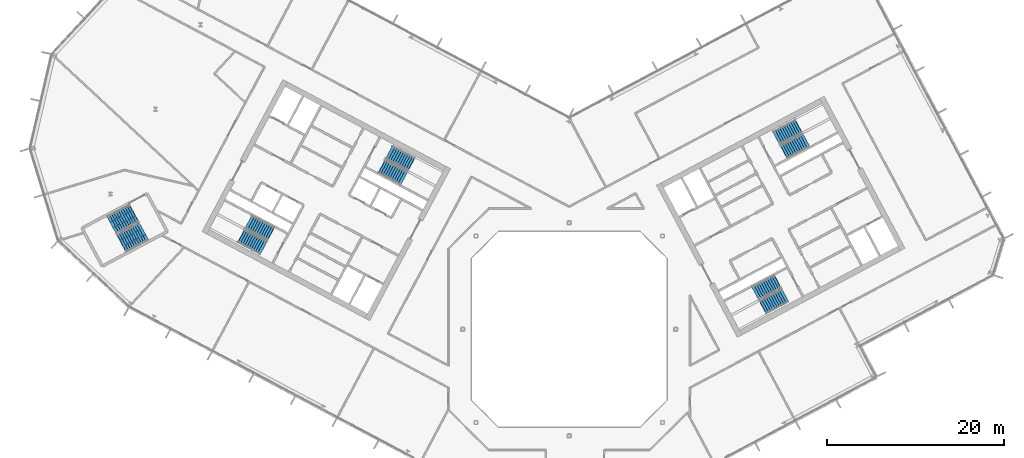
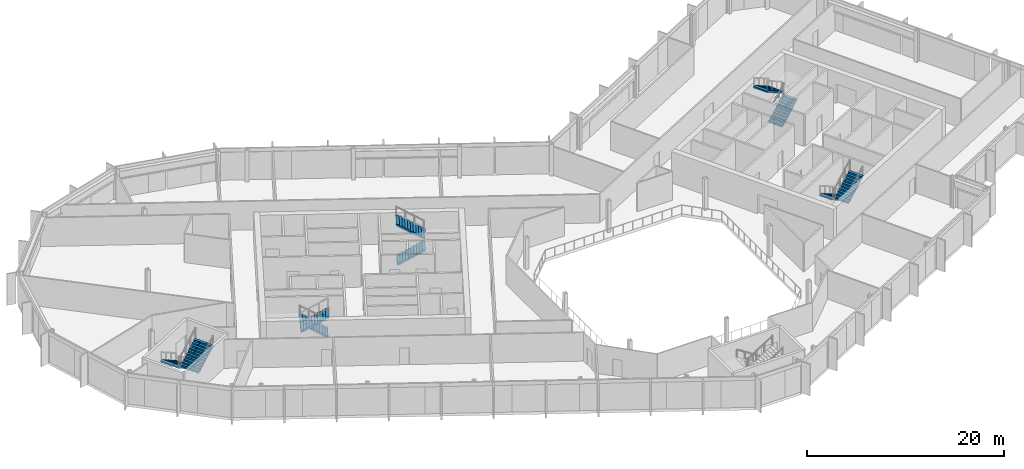
# One storey, part 17 of 26: 10 stair flights, 5 elements without a shape of their own.
"""IFC4 building model written with IfcOpenShell, lengths in metres."""

from ifc_helpers import new_model, si_unit, direction, frame, origin, place, context, subcontext, project, spatial, polyline, outline, extrude, material, type_object, element, aggregate, save


model = new_model("IFC4")

# Units and contexts
model_context = context("Model", 3, precision=1e-05, world=origin(), true_north=direction((0.0, 1.0)))
body_context = subcontext(model_context, "Body", "Model", "MODEL_VIEW")
ifc_project = project(units=[si_unit("LENGTHUNIT", "METRE"), si_unit("AREAUNIT", "SQUARE_METRE"), si_unit("VOLUMEUNIT", "CUBIC_METRE"), si_unit("PLANEANGLEUNIT", "RADIAN"), si_unit("MASSUNIT", "GRAM", prefix="KILO")], contexts=[model_context])

# Site, building, storey
site_placement = place(None, origin())
site = spatial("IfcSite", under=ifc_project, at=site_placement, CompositionType="ELEMENT")
building_placement = place(site_placement, origin())
building = spatial("IfcBuilding", under=site, at=building_placement, Name="Cormorant Relay Tower", CompositionType="ELEMENT")
storey_placement = place(building_placement, frame((0.0, 0.0, 228.60009765625)))
storey = spatial("IfcBuildingStorey", under=building, at=storey_placement, Name="L50", CompositionType="ELEMENT", Elevation=228.60009765625)

# Stair, stair flights
ifc_material_1 = material(Name="Concrete 40 MPa", Category="concrete")
stair_type_1 = type_object("IfcStairType", Name="Exit stair 1500", PredefinedType="HALF_TURN_STAIR", material=ifc_material_1)
stair_1_placement = place(storey_placement, origin())
stair_1 = element("IfcStair", 1, at=stair_1_placement, inside=storey, type_object=stair_type_1, Name="L50 Stair", PredefinedType="HALF_TURN_STAIR")
ifc_material_2 = material(Name="Concrete 40 MPa", Category="concrete")
stair_flight_type_1 = type_object("IfcStairFlightType", Name="Exit stair flight 1650", PredefinedType="STRAIGHT", material=ifc_material_2)
stair_flight_1_placement = place(storey_placement, frame((-21.114501953125, 18.33349609375, 0.0), z_axis=(0.0, 0.0, 1.0), x_axis=(0.882947592859, -0.469471562786, 0.0)))
stair_flight_1 = element("IfcStairFlight", 2, at=stair_flight_1_placement, type_object=stair_flight_type_1, Name="A1 flight 1", NumberOfRisers=11, NumberOfTreads=10, PredefinedType="STRAIGHT", RiserHeight=0.177272727, TreadLength=0.28, context=body_context, shape_type="SweptSolid", body=[
    extrude(outline(polyline([(-0.050048828125, -0.080078125), (-0.050048828125, 0.0), (0.0, 0.0), (0.0, 0.17724609375), (0.280029296875, 0.17724609375), (0.280029296875, 0.3544921875), (0.56005859375, 0.3544921875), (0.56005859375, 0.53173828125), (0.840087890625, 0.53173828125), (0.840087890625, 0.708984375), (1.1201171875, 0.708984375), (1.1201171875, 0.886474609375), (1.39990234375, 0.886474609375), (1.39990234375, 1.063720703125), (1.679931640625, 1.063720703125), (1.679931640625, 1.240966796875), (1.9599609375, 1.240966796875), (1.9599609375, 1.418212890625), (2.239990234375, 1.418212890625), (2.239990234375, 1.595458984375), (2.52001953125, 1.595458984375), (2.52001953125, 1.772705078125), (2.800048828125, 1.772705078125), (2.85009765625, 1.772705078125), (2.85009765625, 1.59521484375), (2.800048828125, 1.59521484375), (0.2802734375, 0.0), (-0.050048828125, -0.080078125)])), frame((0.0, 0.824951171875, 0.0), z_axis=(0.0, -1.0, 0.0), x_axis=(1.0, 0.0, 0.0)), (0.0, 0.0, 1.0), 1.64990234375),
])
stair_flight_2_placement = place(storey_placement, frame((-17.797119140625, 18.6083984375, 1.949951171875), z_axis=(0.0, 0.0, 1.0), x_axis=(-0.882947592859, 0.469471562786, 0.0)))
stair_flight_2 = element("IfcStairFlight", 3, at=stair_flight_2_placement, type_object=stair_flight_type_1, Name="A1 flight 2", NumberOfRisers=11, NumberOfTreads=10, PredefinedType="STRAIGHT", RiserHeight=0.177272727, TreadLength=0.28, context=body_context, shape_type="SweptSolid", body=[
    extrude(outline(polyline([(-0.050048828125, -0.080078125), (-0.050048828125, 0.0), (0.0, 0.0), (0.0, 0.17724609375), (0.280029296875, 0.17724609375), (0.280029296875, 0.3544921875), (0.56005859375, 0.3544921875), (0.56005859375, 0.53173828125), (0.840087890625, 0.53173828125), (0.840087890625, 0.708984375), (1.1201171875, 0.708984375), (1.1201171875, 0.886474609375), (1.39990234375, 0.886474609375), (1.39990234375, 1.063720703125), (1.679931640625, 1.063720703125), (1.679931640625, 1.240966796875), (1.9599609375, 1.240966796875), (1.9599609375, 1.418212890625), (2.239990234375, 1.418212890625), (2.239990234375, 1.595458984375), (2.52001953125, 1.595458984375), (2.52001953125, 1.772705078125), (2.800048828125, 1.772705078125), (2.85009765625, 1.772705078125), (2.85009765625, 1.59521484375), (2.800048828125, 1.59521484375), (0.2802734375, 0.0), (-0.050048828125, -0.080078125)])), frame((0.0, 0.824951171875, 0.0), z_axis=(0.0, -1.0, 0.0), x_axis=(1.0, 0.0, 0.0)), (0.0, 0.0, 1.0), 1.64990234375),
])
aggregate(stair_1, [stair_flight_1, stair_flight_2])

stair_2_placement = place(storey_placement, origin())
stair_2 = element("IfcStair", 4, at=stair_2_placement, inside=storey, type_object=stair_type_1, Name="L50 Stair", PredefinedType="HALF_TURN_STAIR")
stair_flight_3_placement = place(storey_placement, frame((-33.62841796875, 10.773681640625, 0.0), z_axis=(0.0, 0.0, 1.0), x_axis=(-0.882947592859, 0.469471562786, 0.0)))
stair_flight_3 = element("IfcStairFlight", 5, at=stair_flight_3_placement, type_object=stair_flight_type_1, Name="A2 flight 1", NumberOfRisers=11, NumberOfTreads=10, PredefinedType="STRAIGHT", RiserHeight=0.177272727, TreadLength=0.28, context=body_context, shape_type="SweptSolid", body=[
    extrude(outline(polyline([(-0.050048828125, -0.080078125), (-0.050048828125, 0.0), (0.0, 0.0), (0.0, 0.17724609375), (0.280029296875, 0.17724609375), (0.280029296875, 0.3544921875), (0.56005859375, 0.3544921875), (0.56005859375, 0.53173828125), (0.840087890625, 0.53173828125), (0.840087890625, 0.708984375), (1.1201171875, 0.708984375), (1.1201171875, 0.886474609375), (1.39990234375, 0.886474609375), (1.39990234375, 1.063720703125), (1.679931640625, 1.063720703125), (1.679931640625, 1.240966796875), (1.9599609375, 1.240966796875), (1.9599609375, 1.418212890625), (2.239990234375, 1.418212890625), (2.239990234375, 1.595458984375), (2.52001953125, 1.595458984375), (2.52001953125, 1.772705078125), (2.800048828125, 1.772705078125), (2.85009765625, 1.772705078125), (2.85009765625, 1.59521484375), (2.800048828125, 1.59521484375), (0.2802734375, 0.0), (-0.050048828125, -0.080078125)])), frame((0.0, 0.824951171875, 0.0), z_axis=(0.0, -1.0, 0.0), x_axis=(1.0, 0.0, 0.0)), (0.0, 0.0, 1.0), 1.64990234375),
])
stair_flight_4_placement = place(storey_placement, frame((-36.945556640625, 10.498779296875, 1.949951171875), z_axis=(0.0, 0.0, 1.0), x_axis=(0.882947592859, -0.469471562786, 0.0)))
stair_flight_4 = element("IfcStairFlight", 6, at=stair_flight_4_placement, type_object=stair_flight_type_1, Name="A2 flight 2", NumberOfRisers=11, NumberOfTreads=10, PredefinedType="STRAIGHT", RiserHeight=0.177272727, TreadLength=0.28, context=body_context, shape_type="SweptSolid", body=[
    extrude(outline(polyline([(-0.050048828125, -0.080078125), (-0.050048828125, 0.0), (0.0, 0.0), (0.0, 0.17724609375), (0.280029296875, 0.17724609375), (0.280029296875, 0.3544921875), (0.56005859375, 0.3544921875), (0.56005859375, 0.53173828125), (0.840087890625, 0.53173828125), (0.840087890625, 0.708984375), (1.1201171875, 0.708984375), (1.1201171875, 0.886474609375), (1.39990234375, 0.886474609375), (1.39990234375, 1.063720703125), (1.679931640625, 1.063720703125), (1.679931640625, 1.240966796875), (1.9599609375, 1.240966796875), (1.9599609375, 1.418212890625), (2.239990234375, 1.418212890625), (2.239990234375, 1.595458984375), (2.52001953125, 1.595458984375), (2.52001953125, 1.772705078125), (2.800048828125, 1.772705078125), (2.85009765625, 1.772705078125), (2.85009765625, 1.59521484375), (2.800048828125, 1.59521484375), (0.2802734375, 0.0), (-0.050048828125, -0.080078125)])), frame((0.0, 0.824951171875, 0.0), z_axis=(0.0, -1.0, 0.0), x_axis=(1.0, 0.0, 0.0)), (0.0, 0.0, 1.0), 1.64990234375),
])
aggregate(stair_2, [stair_flight_3, stair_flight_4])

stair_3_placement = place(storey_placement, origin())
stair_3 = element("IfcStair", 7, at=stair_3_placement, inside=storey, type_object=stair_type_1, Name="L50 Stair", PredefinedType="HALF_TURN_STAIR")
stair_flight_5_placement = place(storey_placement, frame((23.474365234375, 5.374755859375, 0.0), z_axis=(0.0, 0.0, 1.0), x_axis=(-0.882947592859, -0.469471562786, 0.0)))
stair_flight_5 = element("IfcStairFlight", 8, at=stair_flight_5_placement, type_object=stair_flight_type_1, Name="B1 flight 1", NumberOfRisers=11, NumberOfTreads=10, PredefinedType="STRAIGHT", RiserHeight=0.177272727, TreadLength=0.28, context=body_context, shape_type="SweptSolid", body=[
    extrude(outline(polyline([(-0.050048828125, -0.080078125), (-0.050048828125, 0.0), (0.0, 0.0), (0.0, 0.17724609375), (0.280029296875, 0.17724609375), (0.280029296875, 0.3544921875), (0.56005859375, 0.3544921875), (0.56005859375, 0.53173828125), (0.840087890625, 0.53173828125), (0.840087890625, 0.708984375), (1.1201171875, 0.708984375), (1.1201171875, 0.886474609375), (1.39990234375, 0.886474609375), (1.39990234375, 1.063720703125), (1.679931640625, 1.063720703125), (1.679931640625, 1.240966796875), (1.9599609375, 1.240966796875), (1.9599609375, 1.418212890625), (2.239990234375, 1.418212890625), (2.239990234375, 1.595458984375), (2.52001953125, 1.595458984375), (2.52001953125, 1.772705078125), (2.800048828125, 1.772705078125), (2.85009765625, 1.772705078125), (2.85009765625, 1.59521484375), (2.800048828125, 1.59521484375), (0.2802734375, 0.0), (-0.050048828125, -0.080078125)])), frame((0.0, 0.824951171875, 0.0), z_axis=(0.0, -1.0, 0.0), x_axis=(1.0, 0.0, 0.0)), (0.0, 0.0, 1.0), 1.64990234375),
])
stair_flight_6_placement = place(storey_placement, frame((21.84716796875, 2.470947265625, 1.949951171875), z_axis=(0.0, 0.0, 1.0), x_axis=(0.882947592859, 0.469471562786, 0.0)))
stair_flight_6 = element("IfcStairFlight", 9, at=stair_flight_6_placement, type_object=stair_flight_type_1, Name="B1 flight 2", NumberOfRisers=11, NumberOfTreads=10, PredefinedType="STRAIGHT", RiserHeight=0.177272727, TreadLength=0.28, context=body_context, shape_type="SweptSolid", body=[
    extrude(outline(polyline([(-0.050048828125, -0.080078125), (-0.050048828125, 0.0), (0.0, 0.0), (0.0, 0.17724609375), (0.280029296875, 0.17724609375), (0.280029296875, 0.3544921875), (0.56005859375, 0.3544921875), (0.56005859375, 0.53173828125), (0.840087890625, 0.53173828125), (0.840087890625, 0.708984375), (1.1201171875, 0.708984375), (1.1201171875, 0.886474609375), (1.39990234375, 0.886474609375), (1.39990234375, 1.063720703125), (1.679931640625, 1.063720703125), (1.679931640625, 1.240966796875), (1.9599609375, 1.240966796875), (1.9599609375, 1.418212890625), (2.239990234375, 1.418212890625), (2.239990234375, 1.595458984375), (2.52001953125, 1.595458984375), (2.52001953125, 1.772705078125), (2.800048828125, 1.772705078125), (2.85009765625, 1.772705078125), (2.85009765625, 1.59521484375), (2.800048828125, 1.59521484375), (0.2802734375, 0.0), (-0.050048828125, -0.080078125)])), frame((0.0, 0.824951171875, 0.0), z_axis=(0.0, -1.0, 0.0), x_axis=(1.0, 0.0, 0.0)), (0.0, 0.0, 1.0), 1.64990234375),
])
aggregate(stair_3, [stair_flight_5, stair_flight_6])

stair_4_placement = place(storey_placement, origin())
stair_4 = element("IfcStair", 10, at=stair_4_placement, inside=storey, type_object=stair_type_1, Name="L50 Stair", PredefinedType="HALF_TURN_STAIR")
stair_flight_7_placement = place(storey_placement, frame((24.20458984375, 19.976806640625, 0.0), z_axis=(0.0, 0.0, 1.0), x_axis=(0.882947592859, 0.469471562786, 0.0)))
stair_flight_7 = element("IfcStairFlight", 11, at=stair_flight_7_placement, type_object=stair_flight_type_1, Name="B2 flight 1", NumberOfRisers=11, NumberOfTreads=10, PredefinedType="STRAIGHT", RiserHeight=0.177272727, TreadLength=0.28, context=body_context, shape_type="SweptSolid", body=[
    extrude(outline(polyline([(-0.050048828125, -0.080078125), (-0.050048828125, 0.0), (0.0, 0.0), (0.0, 0.17724609375), (0.280029296875, 0.17724609375), (0.280029296875, 0.3544921875), (0.56005859375, 0.3544921875), (0.56005859375, 0.53173828125), (0.840087890625, 0.53173828125), (0.840087890625, 0.708984375), (1.1201171875, 0.708984375), (1.1201171875, 0.886474609375), (1.39990234375, 0.886474609375), (1.39990234375, 1.063720703125), (1.679931640625, 1.063720703125), (1.679931640625, 1.240966796875), (1.9599609375, 1.240966796875), (1.9599609375, 1.418212890625), (2.239990234375, 1.418212890625), (2.239990234375, 1.595458984375), (2.52001953125, 1.595458984375), (2.52001953125, 1.772705078125), (2.800048828125, 1.772705078125), (2.85009765625, 1.772705078125), (2.85009765625, 1.59521484375), (2.800048828125, 1.59521484375), (0.2802734375, 0.0), (-0.050048828125, -0.080078125)])), frame((0.0, 0.824951171875, 0.0), z_axis=(0.0, -1.0, 0.0), x_axis=(1.0, 0.0, 0.0)), (0.0, 0.0, 1.0), 1.64990234375),
])
stair_flight_8_placement = place(storey_placement, frame((25.831787109375, 22.880615234375, 1.949951171875), z_axis=(0.0, 0.0, 1.0), x_axis=(-0.882947592859, -0.469471562786, 0.0)))
stair_flight_8 = element("IfcStairFlight", 12, at=stair_flight_8_placement, type_object=stair_flight_type_1, Name="B2 flight 2", NumberOfRisers=11, NumberOfTreads=10, PredefinedType="STRAIGHT", RiserHeight=0.177272727, TreadLength=0.28, context=body_context, shape_type="SweptSolid", body=[
    extrude(outline(polyline([(-0.050048828125, -0.080078125), (-0.050048828125, 0.0), (0.0, 0.0), (0.0, 0.17724609375), (0.280029296875, 0.17724609375), (0.280029296875, 0.3544921875), (0.56005859375, 0.3544921875), (0.56005859375, 0.53173828125), (0.840087890625, 0.53173828125), (0.840087890625, 0.708984375), (1.1201171875, 0.708984375), (1.1201171875, 0.886474609375), (1.39990234375, 0.886474609375), (1.39990234375, 1.063720703125), (1.679931640625, 1.063720703125), (1.679931640625, 1.240966796875), (1.9599609375, 1.240966796875), (1.9599609375, 1.418212890625), (2.239990234375, 1.418212890625), (2.239990234375, 1.595458984375), (2.52001953125, 1.595458984375), (2.52001953125, 1.772705078125), (2.800048828125, 1.772705078125), (2.85009765625, 1.772705078125), (2.85009765625, 1.59521484375), (2.800048828125, 1.59521484375), (0.2802734375, 0.0), (-0.050048828125, -0.080078125)])), frame((0.0, 0.824951171875, 0.0), z_axis=(0.0, -1.0, 0.0), x_axis=(1.0, 0.0, 0.0)), (0.0, 0.0, 1.0), 1.64990234375),
])
aggregate(stair_4, [stair_flight_7, stair_flight_8])

ifc_material_3 = material(Name="Concrete 40 MPa", Category="concrete")
stair_type_2 = type_object("IfcStairType", Name="Remote exit stair 2200", PredefinedType="HALF_TURN_STAIR", material=ifc_material_3)
stair_5_placement = place(storey_placement, origin())
stair_5 = element("IfcStair", 13, at=stair_5_placement, inside=storey, type_object=stair_type_2, Name="L50 Stair", PredefinedType="HALF_TURN_STAIR")
ifc_material_4 = material(Name="Concrete 40 MPa", Category="concrete")
stair_flight_type_2 = type_object("IfcStairFlightType", Name="Remote exit stair flight 2200", PredefinedType="STRAIGHT", material=ifc_material_4)
stair_flight_9_placement = place(storey_placement, frame((-49.062255859375, 13.08251953125, 0.0), z_axis=(0.0, 0.0, 1.0), x_axis=(-0.882947502727, -0.4694717323, 0.0)))
stair_flight_9 = element("IfcStairFlight", 14, at=stair_flight_9_placement, type_object=stair_flight_type_2, Name="RP1 flight 1", NumberOfRisers=11, NumberOfTreads=10, PredefinedType="STRAIGHT", RiserHeight=0.177272727, TreadLength=0.28, context=body_context, shape_type="SweptSolid", body=[
    extrude(outline(polyline([(-0.050048828125, -0.080078125), (-0.050048828125, 0.0), (0.0, 0.0), (0.0, 0.17724609375), (0.280029296875, 0.17724609375), (0.280029296875, 0.3544921875), (0.56005859375, 0.3544921875), (0.56005859375, 0.53173828125), (0.840087890625, 0.53173828125), (0.840087890625, 0.708984375), (1.1201171875, 0.708984375), (1.1201171875, 0.886474609375), (1.39990234375, 0.886474609375), (1.39990234375, 1.063720703125), (1.679931640625, 1.063720703125), (1.679931640625, 1.240966796875), (1.9599609375, 1.240966796875), (1.9599609375, 1.418212890625), (2.239990234375, 1.418212890625), (2.239990234375, 1.595458984375), (2.52001953125, 1.595458984375), (2.52001953125, 1.772705078125), (2.800048828125, 1.772705078125), (2.85009765625, 1.772705078125), (2.85009765625, 1.59521484375), (2.800048828125, 1.59521484375), (0.2802734375, 0.0), (-0.050048828125, -0.080078125)])), frame((0.0, 1.10009765625, 0.0), z_axis=(0.0, -1.0, 0.0), x_axis=(1.0, 0.0, 0.0)), (0.0, 0.0, 1.0), 0.719970703125),
    extrude(outline(polyline([(-0.050048828125, -0.080078125), (-0.050048828125, 0.0), (0.0, 0.0), (0.0, 0.17724609375), (0.280029296875, 0.17724609375), (0.280029296875, 0.3544921875), (0.56005859375, 0.3544921875), (0.56005859375, 0.53173828125), (0.840087890625, 0.53173828125), (0.840087890625, 0.708984375), (1.1201171875, 0.708984375), (1.1201171875, 0.886474609375), (1.39990234375, 0.886474609375), (1.39990234375, 1.063720703125), (1.679931640625, 1.063720703125), (1.679931640625, 1.240966796875), (1.9599609375, 1.240966796875), (1.9599609375, 1.418212890625), (2.239990234375, 1.418212890625), (2.239990234375, 1.595458984375), (2.52001953125, 1.595458984375), (2.52001953125, 1.772705078125), (2.800048828125, 1.772705078125), (2.85009765625, 1.772705078125), (2.85009765625, 1.59521484375), (2.800048828125, 1.59521484375), (0.2802734375, 0.0), (-0.050048828125, -0.080078125)])), frame((0.0, 0.360107421875, 0.0), z_axis=(0.0, -1.0, 0.0), x_axis=(1.0, 0.0, 0.0)), (0.0, 0.0, 1.0), 0.719970703125),
    extrude(outline(polyline([(-0.050048828125, -0.080078125), (-0.050048828125, 0.0), (0.0, 0.0), (0.0, 0.17724609375), (0.280029296875, 0.17724609375), (0.280029296875, 0.3544921875), (0.56005859375, 0.3544921875), (0.56005859375, 0.53173828125), (0.840087890625, 0.53173828125), (0.840087890625, 0.708984375), (1.1201171875, 0.708984375), (1.1201171875, 0.886474609375), (1.39990234375, 0.886474609375), (1.39990234375, 1.063720703125), (1.679931640625, 1.063720703125), (1.679931640625, 1.240966796875), (1.9599609375, 1.240966796875), (1.9599609375, 1.418212890625), (2.239990234375, 1.418212890625), (2.239990234375, 1.595458984375), (2.52001953125, 1.595458984375), (2.52001953125, 1.772705078125), (2.800048828125, 1.772705078125), (2.85009765625, 1.772705078125), (2.85009765625, 1.59521484375), (2.800048828125, 1.59521484375), (0.2802734375, 0.0), (-0.050048828125, -0.080078125)])), frame((0.0, -0.3798828125, 0.0), z_axis=(0.0, -1.0, 0.0), x_axis=(1.0, 0.0, 0.0)), (0.0, 0.0, 1.0), 0.719970703125),
])
stair_flight_10_placement = place(storey_placement, frame((-50.431396484375, 9.693115234375, 1.949951171875), z_axis=(0.0, 0.0, 1.0), x_axis=(0.882947502727, 0.4694717323, 0.0)))
stair_flight_10 = element("IfcStairFlight", 15, at=stair_flight_10_placement, type_object=stair_flight_type_2, Name="RP1 flight 2", NumberOfRisers=11, NumberOfTreads=10, PredefinedType="STRAIGHT", RiserHeight=0.177272727, TreadLength=0.28, context=body_context, shape_type="SweptSolid", body=[
    extrude(outline(polyline([(-0.050048828125, -0.080078125), (-0.050048828125, 0.0), (0.0, 0.0), (0.0, 0.17724609375), (0.280029296875, 0.17724609375), (0.280029296875, 0.3544921875), (0.56005859375, 0.3544921875), (0.56005859375, 0.53173828125), (0.840087890625, 0.53173828125), (0.840087890625, 0.708984375), (1.1201171875, 0.708984375), (1.1201171875, 0.886474609375), (1.39990234375, 0.886474609375), (1.39990234375, 1.063720703125), (1.679931640625, 1.063720703125), (1.679931640625, 1.240966796875), (1.9599609375, 1.240966796875), (1.9599609375, 1.418212890625), (2.239990234375, 1.418212890625), (2.239990234375, 1.595458984375), (2.52001953125, 1.595458984375), (2.52001953125, 1.772705078125), (2.800048828125, 1.772705078125), (2.85009765625, 1.772705078125), (2.85009765625, 1.59521484375), (2.800048828125, 1.59521484375), (0.2802734375, 0.0), (-0.050048828125, -0.080078125)])), frame((0.0, 1.10009765625, 0.0), z_axis=(0.0, -1.0, 0.0), x_axis=(1.0, 0.0, 0.0)), (0.0, 0.0, 1.0), 0.719970703125),
    extrude(outline(polyline([(-0.050048828125, -0.080078125), (-0.050048828125, 0.0), (0.0, 0.0), (0.0, 0.17724609375), (0.280029296875, 0.17724609375), (0.280029296875, 0.3544921875), (0.56005859375, 0.3544921875), (0.56005859375, 0.53173828125), (0.840087890625, 0.53173828125), (0.840087890625, 0.708984375), (1.1201171875, 0.708984375), (1.1201171875, 0.886474609375), (1.39990234375, 0.886474609375), (1.39990234375, 1.063720703125), (1.679931640625, 1.063720703125), (1.679931640625, 1.240966796875), (1.9599609375, 1.240966796875), (1.9599609375, 1.418212890625), (2.239990234375, 1.418212890625), (2.239990234375, 1.595458984375), (2.52001953125, 1.595458984375), (2.52001953125, 1.772705078125), (2.800048828125, 1.772705078125), (2.85009765625, 1.772705078125), (2.85009765625, 1.59521484375), (2.800048828125, 1.59521484375), (0.2802734375, 0.0), (-0.050048828125, -0.080078125)])), frame((0.0, 0.360107421875, 0.0), z_axis=(0.0, -1.0, 0.0), x_axis=(1.0, 0.0, 0.0)), (0.0, 0.0, 1.0), 0.719970703125),
    extrude(outline(polyline([(-0.050048828125, -0.080078125), (-0.050048828125, 0.0), (0.0, 0.0), (0.0, 0.17724609375), (0.280029296875, 0.17724609375), (0.280029296875, 0.3544921875), (0.56005859375, 0.3544921875), (0.56005859375, 0.53173828125), (0.840087890625, 0.53173828125), (0.840087890625, 0.708984375), (1.1201171875, 0.708984375), (1.1201171875, 0.886474609375), (1.39990234375, 0.886474609375), (1.39990234375, 1.063720703125), (1.679931640625, 1.063720703125), (1.679931640625, 1.240966796875), (1.9599609375, 1.240966796875), (1.9599609375, 1.418212890625), (2.239990234375, 1.418212890625), (2.239990234375, 1.595458984375), (2.52001953125, 1.595458984375), (2.52001953125, 1.772705078125), (2.800048828125, 1.772705078125), (2.85009765625, 1.772705078125), (2.85009765625, 1.59521484375), (2.800048828125, 1.59521484375), (0.2802734375, 0.0), (-0.050048828125, -0.080078125)])), frame((0.0, -0.3798828125, 0.0), z_axis=(0.0, -1.0, 0.0), x_axis=(1.0, 0.0, 0.0)), (0.0, 0.0, 1.0), 0.719970703125),
])
aggregate(stair_5, [stair_flight_9, stair_flight_10])

save(model, "model.ifc")
